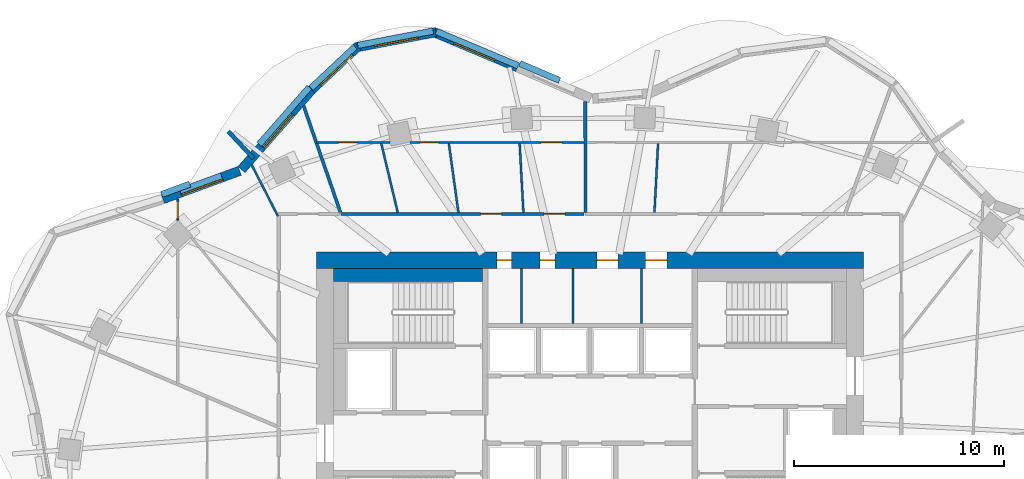
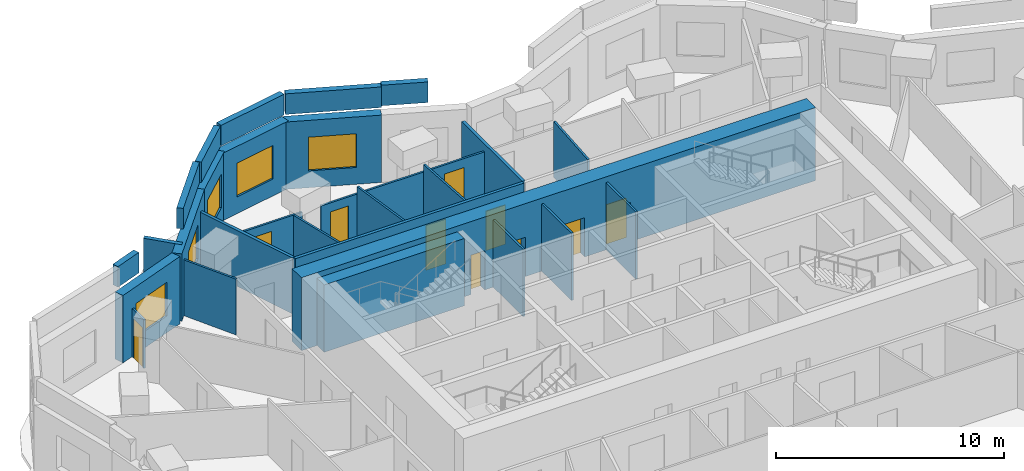
# One storey, part 8 of 11: 28 walls, 10 doors, 5 windows, 15 openings.
"""IFC4 building model written with IfcOpenShell, lengths in metres."""

from ifc_helpers import new_model, si_unit, direction, frame, frame_2d, origin, place, context, subcontext, project, spatial, rectangle, extrude, material, layer, layer_set, type_object, element, fill, save


model = new_model("IFC4")

# Units and contexts
model_context = context("Model", 3, precision=1e-05, world=origin(), true_north=direction((0.0, 1.0)))
body_context = subcontext(model_context, "Body", "Model", "MODEL_VIEW")
ifc_project = project(units=[si_unit("LENGTHUNIT", "METRE"), si_unit("AREAUNIT", "SQUARE_METRE"), si_unit("VOLUMEUNIT", "CUBIC_METRE"), si_unit("PLANEANGLEUNIT", "RADIAN"), si_unit("MASSUNIT", "GRAM", prefix="KILO")], contexts=[model_context])

# Site, building, storey
site_placement = place(None, origin())
site = spatial("IfcSite", under=ifc_project, at=site_placement, CompositionType="ELEMENT")
building_placement = place(site_placement, origin())
building = spatial("IfcBuilding", under=site, at=building_placement, Name="Rubra Terraces Tower", CompositionType="ELEMENT")
storey_placement = place(building_placement, frame((0.0, 0.0, 260.39990234375)))
storey = spatial("IfcBuildingStorey", under=building, at=storey_placement, Name="L64", CompositionType="ELEMENT", Elevation=260.39990234375)

# Wall, opening, window
ifc_material_1 = material(Name="Brick masonry red-brown", Category="masonry")
ifc_layer_1 = layer(ifc_material_1, 0.449951171875)
ifc_layer_set_1 = layer_set([ifc_layer_1], Name="Brick masonry red-brown")
wall_type_1 = type_object("IfcWallType", Name="Brick facade wall 450", PredefinedType="SOLIDWALL", material=ifc_layer_set_1)
wall_1_placement = place(storey_placement, frame((-3.44140625, 20.776123046875, 0.0), z_axis=(0.0, 0.0, 1.0), x_axis=(-0.921988121387, 0.387218160758, 0.0)))
wall_1 = element("IfcWall", 1, at=wall_1_placement, inside=storey, type_object=wall_type_1, Name="Facade wall L64 bay 12", PredefinedType="SOLIDWALL", context=body_context, shape_type="SweptSolid", body=[
    extrude(rectangle(XDim=4.3466796875, YDim=0.449951171875, at=frame_2d((2.17333984375, 0.0))), origin(), (0.0, 0.0, 1.0), 3.60009765625),
])
opening_1_placement = place(wall_1_placement, frame((1.123291015625, 0.0, 0.89990234375)))
opening_1 = element("IfcOpeningElement", 2, at=opening_1_placement, cuts=wall_1, Name="Opening W1Z", PredefinedType="OPENING", context=body_context, shape_type="SweptSolid", body=[
    extrude(rectangle(XDim=2.10009765625, YDim=1.800048828125, at=frame_2d((1.050048828125, 0.89990234375))), frame((0.0, 0.23486328125, 0.0), z_axis=(0.0, -1.0, 0.0), x_axis=(1.0, 0.0, 0.0)), (0.0, 0.0, 1.0), 0.469970703125),
])
ifc_material_2 = material(Name="Clear glass in aluminium frame", Category="aluminium")
window_type = type_object("IfcWindowType", Name="Fixed deep-set window under transfer level 2100 x 1800", PartitioningType="SINGLE_PANEL", PredefinedType="WINDOW", material=ifc_material_2)
window_1_placement = place(opening_1_placement, origin())
window_1 = element("IfcWindow", 3, at=window_1_placement, inside=storey, type_object=window_type, Name="Window L64 bay 12", OverallHeight=1.800048828125, OverallWidth=2.10009765625, PartitioningType="SINGLE_PANEL", PredefinedType="WINDOW", context=body_context, shape_type="SweptSolid", body=[
    extrude(rectangle(XDim=2.10009765625, YDim=1.800048828125, at=frame_2d((1.050048828125, 0.89990234375))), frame((0.0, 0.135009765625, 0.0), z_axis=(0.0, -1.0, 0.0), x_axis=(1.0, 0.0, 0.0)), (0.0, 0.0, 1.0), 0.06005859375),
])
fill(opening_1, window_1)

wall_2_placement = place(storey_placement, frame((-7.322998046875, 22.447021484375, 0.0), z_axis=(0.0, 0.0, 1.0), x_axis=(-0.982420993638, -0.18667884524, 0.0)))
wall_2 = element("IfcWall", 4, at=wall_2_placement, inside=storey, type_object=wall_type_1, Name="Facade wall L64 bay 13", PredefinedType="SOLIDWALL", context=body_context, shape_type="SweptSolid", body=[
    extrude(rectangle(XDim=3.88427734375, YDim=0.449951171875, at=frame_2d((1.942138671875, 0.0))), origin(), (0.0, 0.0, 1.0), 3.60009765625),
])
opening_2_placement = place(wall_2_placement, frame((0.89208984375, 0.0, 0.89990234375)))
opening_2 = element("IfcOpeningElement", 5, at=opening_2_placement, cuts=wall_2, Name="Opening W1Z", PredefinedType="OPENING", context=body_context, shape_type="SweptSolid", body=[
    extrude(rectangle(XDim=2.10009765625, YDim=1.800048828125, at=frame_2d((1.050048828125, 0.89990234375))), frame((0.0, 0.23486328125, 0.0), z_axis=(0.0, -1.0, 0.0), x_axis=(1.0, 0.0, 0.0)), (0.0, 0.0, 1.0), 0.469970703125),
])
window_2_placement = place(opening_2_placement, origin())
window_2 = element("IfcWindow", 6, at=window_2_placement, inside=storey, type_object=window_type, Name="Window L64 bay 13", OverallHeight=1.800048828125, OverallWidth=2.10009765625, PartitioningType="SINGLE_PANEL", PredefinedType="WINDOW", context=body_context, shape_type="SweptSolid", body=[
    extrude(rectangle(XDim=2.10009765625, YDim=1.800048828125, at=frame_2d((1.050048828125, 0.89990234375))), frame((0.0, 0.135009765625, 0.0), z_axis=(0.0, -1.0, 0.0), x_axis=(1.0, 0.0, 0.0)), (0.0, 0.0, 1.0), 0.06005859375),
])
fill(opening_2, window_2)

wall_3_placement = place(storey_placement, frame((-11.027099609375, 21.779052734375, 0.0), z_axis=(0.0, 0.0, 1.0), x_axis=(-0.728871214251, -0.684650825631, 0.0)))
wall_3 = element("IfcWall", 7, at=wall_3_placement, inside=storey, type_object=wall_type_1, Name="Facade wall L64 bay 14", PredefinedType="SOLIDWALL", context=body_context, shape_type="SweptSolid", body=[
    extrude(rectangle(XDim=3.031005859375, YDim=0.449951171875, at=frame_2d((1.515625, 0.0))), origin(), (0.0, 0.0, 1.0), 3.60009765625),
])
opening_3_placement = place(wall_3_placement, frame((0.465576171875, 0.0, 0.89990234375)))
opening_3 = element("IfcOpeningElement", 8, at=opening_3_placement, cuts=wall_3, Name="Opening W1Z", PredefinedType="OPENING", context=body_context, shape_type="SweptSolid", body=[
    extrude(rectangle(XDim=2.10009765625, YDim=1.800048828125, at=frame_2d((1.050048828125, 0.89990234375))), frame((0.0, 0.23486328125, 0.0), z_axis=(0.0, -1.0, 0.0), x_axis=(1.0, 0.0, 0.0)), (0.0, 0.0, 1.0), 0.469970703125),
])
window_3_placement = place(opening_3_placement, origin())
window_3 = element("IfcWindow", 9, at=window_3_placement, inside=storey, type_object=window_type, Name="Window L64 bay 14", OverallHeight=1.800048828125, OverallWidth=2.10009765625, PartitioningType="SINGLE_PANEL", PredefinedType="WINDOW", context=body_context, shape_type="SweptSolid", body=[
    extrude(rectangle(XDim=2.10009765625, YDim=1.800048828125, at=frame_2d((1.050048828125, 0.89990234375))), frame((0.0, 0.135009765625, 0.0), z_axis=(0.0, -1.0, 0.0), x_axis=(1.0, 0.0, 0.0)), (0.0, 0.0, 1.0), 0.06005859375),
])
fill(opening_3, window_3)

wall_4_placement = place(storey_placement, frame((-13.221435546875, 19.71923828125, 0.0), z_axis=(0.0, 0.0, 1.0), x_axis=(-0.660424908916, -0.750892095899, 0.0)))
wall_4 = element("IfcWall", 10, at=wall_4_placement, inside=storey, type_object=wall_type_1, Name="Facade wall L64 bay 15", PredefinedType="SOLIDWALL", context=body_context, shape_type="SweptSolid", body=[
    extrude(rectangle(XDim=5.07080078125, YDim=0.449951171875, at=frame_2d((2.535400390625, 0.0))), origin(), (0.0, 0.0, 1.0), 3.60009765625),
])
opening_4_placement = place(wall_4_placement, frame((1.4853515625, 0.0, 0.89990234375)))
opening_4 = element("IfcOpeningElement", 11, at=opening_4_placement, cuts=wall_4, Name="Opening W1Z", PredefinedType="OPENING", context=body_context, shape_type="SweptSolid", body=[
    extrude(rectangle(XDim=2.10009765625, YDim=1.800048828125, at=frame_2d((1.050048828125, 0.89990234375))), frame((0.0, 0.23486328125, 0.0), z_axis=(0.0, -1.0, 0.0), x_axis=(1.0, 0.0, 0.0)), (0.0, 0.0, 1.0), 0.469970703125),
])
window_4_placement = place(opening_4_placement, origin())
window_4 = element("IfcWindow", 12, at=window_4_placement, inside=storey, type_object=window_type, Name="Window L64 bay 15", OverallHeight=1.800048828125, OverallWidth=2.10009765625, PartitioningType="SINGLE_PANEL", PredefinedType="WINDOW", context=body_context, shape_type="SweptSolid", body=[
    extrude(rectangle(XDim=2.10009765625, YDim=1.800048828125, at=frame_2d((1.050048828125, 0.89990234375))), frame((0.0, 0.135009765625, 0.0), z_axis=(0.0, -1.0, 0.0), x_axis=(1.0, 0.0, 0.0)), (0.0, 0.0, 1.0), 0.06005859375),
])
fill(opening_4, window_4)

wall_5_placement = place(storey_placement, frame((-16.654052734375, 15.85205078125, 0.0), z_axis=(0.0, 0.0, 1.0), x_axis=(-0.938636568132, -0.344907803572, 0.0)))
wall_5 = element("IfcWall", 13, at=wall_5_placement, inside=storey, type_object=wall_type_1, Name="Facade wall L64 bay 16", PredefinedType="SOLIDWALL", context=body_context, shape_type="SweptSolid", body=[
    extrude(rectangle(XDim=3.887451171875, YDim=0.449951171875, at=frame_2d((1.94384765625, 0.0))), origin(), (0.0, 0.0, 1.0), 3.60009765625),
])
opening_5_placement = place(wall_5_placement, frame((0.893798828125, 0.0, 0.89990234375)))
opening_5 = element("IfcOpeningElement", 14, at=opening_5_placement, cuts=wall_5, Name="Opening W1Z", PredefinedType="OPENING", context=body_context, shape_type="SweptSolid", body=[
    extrude(rectangle(XDim=2.10009765625, YDim=1.800048828125, at=frame_2d((1.050048828125, 0.89990234375))), frame((0.0, 0.23486328125, 0.0), z_axis=(0.0, -1.0, 0.0), x_axis=(1.0, 0.0, 0.0)), (0.0, 0.0, 1.0), 0.469970703125),
])
window_5_placement = place(opening_5_placement, origin())
window_5 = element("IfcWindow", 15, at=window_5_placement, inside=storey, type_object=window_type, Name="Window L64 bay 16", OverallHeight=1.800048828125, OverallWidth=2.10009765625, PartitioningType="SINGLE_PANEL", PredefinedType="WINDOW", context=body_context, shape_type="SweptSolid", body=[
    extrude(rectangle(XDim=2.10009765625, YDim=1.800048828125, at=frame_2d((1.050048828125, 0.89990234375))), frame((0.0, 0.135009765625, 0.0), z_axis=(0.0, -1.0, 0.0), x_axis=(1.0, 0.0, 0.0)), (0.0, 0.0, 1.0), 0.06005859375),
])
fill(opening_5, window_5)

# Walls
ifc_layer_2 = layer(ifc_material_1, 0.300048828125)
ifc_layer_set_2 = layer_set([ifc_layer_2], Name="Brick masonry red-brown")
wall_type_2 = type_object("IfcWallType", Name="Brick parapet 300", PredefinedType="PARAPET", material=ifc_layer_set_2)
wall_6_placement = place(storey_placement, frame((-1.44580078125, 20.14892578125, 3.900146484375), z_axis=(0.0, 0.0, 1.0), x_axis=(-0.920058903695, 0.391780057854, 0.0)))
element("IfcWall", 16, at=wall_6_placement, inside=storey, type_object=wall_type_2, Name="Parapet L64 bay 11", PredefinedType="PARAPET", context=body_context, shape_type="SweptSolid", body=[
    extrude(rectangle(XDim=2.05322265625, YDim=0.300048828125, at=frame_2d((1.026611328125, 0.0))), origin(), (0.0, 0.0, 1.0), 1.099853515625),
])
wall_7_placement = place(storey_placement, frame((-3.413330078125, 20.845703125, 3.900146484375), z_axis=(0.0, 0.0, 1.0), x_axis=(-0.921981693349, 0.387233465921, 0.0)))
element("IfcWall", 17, at=wall_7_placement, inside=storey, type_object=wall_type_2, Name="Parapet L64 bay 12", PredefinedType="PARAPET", context=body_context, shape_type="SweptSolid", body=[
    extrude(rectangle(XDim=4.228515625, YDim=0.300048828125, at=frame_2d((2.1142578125, 0.0))), origin(), (0.0, 0.0, 1.0), 1.099853515625),
])
wall_8_placement = place(storey_placement, frame((-7.455322265625, 22.498291015625, 3.900146484375), z_axis=(0.0, 0.0, 1.0), x_axis=(-0.982412909305, -0.186721385038, 0.0)))
element("IfcWall", 18, at=wall_8_placement, inside=storey, type_object=wall_type_2, Name="Parapet L64 bay 13", PredefinedType="PARAPET", context=body_context, shape_type="SweptSolid", body=[
    extrude(rectangle(XDim=3.646728515625, YDim=0.300048828125, at=frame_2d((1.8232421875, 0.0))), origin(), (0.0, 0.0, 1.0), 1.099853515625),
])
wall_9_placement = place(storey_placement, frame((-11.163818359375, 21.75341796875, 3.900146484375), z_axis=(0.0, 0.0, 1.0), x_axis=(-0.72886475222, -0.684657704967, 0.0)))
element("IfcWall", 19, at=wall_9_placement, inside=storey, type_object=wall_type_2, Name="Parapet L64 bay 14", PredefinedType="PARAPET", context=body_context, shape_type="SweptSolid", body=[
    extrude(rectangle(XDim=2.877197265625, YDim=0.300048828125, at=frame_2d((1.4384765625, 0.0))), origin(), (0.0, 0.0, 1.0), 1.099853515625),
])
wall_10_placement = place(storey_placement, frame((-13.338623046875, 19.822265625, 3.900146484375), z_axis=(0.0, 0.0, 1.0), x_axis=(-0.660443655688, -0.750875607316, 0.0)))
element("IfcWall", 20, at=wall_10_placement, inside=storey, type_object=wall_type_2, Name="Parapet L64 bay 15", PredefinedType="PARAPET", context=body_context, shape_type="SweptSolid", body=[
    extrude(rectangle(XDim=3.614990234375, YDim=0.300048828125, at=frame_2d((1.8076171875, 0.0))), origin(), (0.0, 0.0, 1.0), 1.099853515625),
])
wall_11_placement = place(storey_placement, frame((-19.02734375, 15.219482421875, 3.900146484375), z_axis=(0.0, 0.0, 1.0), x_axis=(-0.938641434588, -0.344894559648, 0.0)))
element("IfcWall", 21, at=wall_11_placement, inside=storey, type_object=wall_type_2, Name="Parapet L64 bay 16", PredefinedType="PARAPET", context=body_context, shape_type="SweptSolid", body=[
    extrude(rectangle(XDim=1.423583984375, YDim=0.300048828125, at=frame_2d((0.7119140625, 0.0))), origin(), (0.0, 0.0, 1.0), 1.099853515625),
])
ifc_layer_3 = layer(ifc_material_1, 0.199951171875)
ifc_layer_set_3 = layer_set([ifc_layer_3], Name="Brick masonry red-brown")
wall_type_3 = type_object("IfcWallType", Name="Brick wind fin 200", PredefinedType="SOLIDWALL", material=ifc_layer_set_3)
wall_12_placement = place(storey_placement, frame((-15.9951171875, 16.444091796875, 0.0), z_axis=(0.0, 0.0, 1.0), x_axis=(-0.683852936488, 0.729619874494, 0.0)))
element("IfcWall", 22, at=wall_12_placement, inside=storey, type_object=wall_type_3, Name="Wind fin L64 9", PredefinedType="SOLIDWALL", context=body_context, shape_type="SweptSolid", body=[
    extrude(rectangle(XDim=1.749755859375, YDim=0.199951171875, at=frame_2d((0.875, 0.0))), origin(), (0.0, 0.0, 1.0), 3.60009765625),
])

# Wall, openings, doors
ifc_material_3 = material(Name="Concrete C50", Category="concrete")
ifc_layer_4 = layer(ifc_material_3, 0.800048828125)
ifc_layer_set_4 = layer_set([ifc_layer_4], Name="Concrete C50")
wall_type_4 = type_object("IfcWallType", Name="CORE WALL 800 C50", PredefinedType="SHEAR", material=ifc_layer_set_4)
wall_13_placement = place(storey_placement, frame((-13.0, 11.60009765625, 0.0), z_axis=(0.0, 0.0, 1.0), x_axis=(1.0, 0.0, 0.0)))
wall_13 = element("IfcWall", 23, at=wall_13_placement, inside=storey, type_object=wall_type_4, Name="CORE WALL N L64", PredefinedType="SHEAR", context=body_context, shape_type="SweptSolid", body=[
    extrude(rectangle(XDim=26.0, YDim=0.800048828125, at=frame_2d((13.0, 0.0))), origin(), (0.0, 0.0, 1.0), 3.900146484375),
])
opening_6_placement = place(wall_13_placement, frame((8.574951171875, 0.0, 0.0)))
opening_6 = element("IfcOpeningElement", 24, at=opening_6_placement, cuts=wall_13, Name="Opening L64.C25", PredefinedType="OPENING", context=body_context, shape_type="SweptSolid", body=[
    extrude(rectangle(XDim=0.699951171875, YDim=2.10009765625, at=frame_2d((0.35009765625, 1.050048828125))), frame((0.0, 0.409912109375, 0.0), z_axis=(0.0, -1.0, 0.0), x_axis=(1.0, 0.0, 0.0)), (0.0, 0.0, 1.0), 0.820068359375),
])
opening_7_placement = place(wall_13_placement, frame((10.625, 0.0, 0.0)))
opening_7 = element("IfcOpeningElement", 25, at=opening_7_placement, cuts=wall_13, Name="Opening L64.C26", PredefinedType="OPENING", context=body_context, shape_type="SweptSolid", body=[
    extrude(rectangle(XDim=0.699951171875, YDim=2.10009765625, at=frame_2d((0.35009765625, 1.050048828125))), frame((0.0, 0.409912109375, 0.0), z_axis=(0.0, -1.0, 0.0), x_axis=(1.0, 0.0, 0.0)), (0.0, 0.0, 1.0), 0.820068359375),
])
opening_8_placement = place(wall_13_placement, frame((13.324951171875, 0.0, 0.0)))
opening_8 = element("IfcOpeningElement", 26, at=opening_8_placement, cuts=wall_13, Name="Opening L64.C27", PredefinedType="OPENING", context=body_context, shape_type="SweptSolid", body=[
    extrude(rectangle(XDim=1.0, YDim=2.10009765625, at=frame_2d((0.5, 1.050048828125))), frame((0.0, 0.409912109375, 0.0), z_axis=(0.0, -1.0, 0.0), x_axis=(1.0, 0.0, 0.0)), (0.0, 0.0, 1.0), 0.820068359375),
])
opening_9_placement = place(wall_13_placement, frame((15.64990234375, 0.0, 0.0)))
opening_9 = element("IfcOpeningElement", 27, at=opening_9_placement, cuts=wall_13, Name="Opening L64.C28", PredefinedType="OPENING", context=body_context, shape_type="SweptSolid", body=[
    extrude(rectangle(XDim=1.0, YDim=2.10009765625, at=frame_2d((0.5, 1.050048828125))), frame((0.0, 0.409912109375, 0.0), z_axis=(0.0, -1.0, 0.0), x_axis=(1.0, 0.0, 0.0)), (0.0, 0.0, 1.0), 0.820068359375),
])
ifc_material_4 = material(Name="Painted steel", Category="steel")
door_type_1 = type_object("IfcDoorType", Name="Fire door 1000x2100 single", OperationType="NOTDEFINED", PredefinedType="DOOR", material=ifc_material_4)
door_1_placement = place(opening_8_placement, origin())
door_1 = element("IfcDoor", 28, at=door_1_placement, inside=storey, type_object=door_type_1, Name="Tea point door", OperationType="SINGLE_SWING_LEFT", OverallHeight=2.10009765625, OverallWidth=1.0, PredefinedType="DOOR", context=body_context, shape_type="SweptSolid", body=[
    extrude(rectangle(XDim=1.0, YDim=2.10009765625, at=frame_2d((0.5, 1.050048828125))), frame((0.0, 0.02490234375, 0.0), z_axis=(0.0, -1.0, 0.0), x_axis=(1.0, 0.0, 0.0)), (0.0, 0.0, 1.0), 0.050048828125),
])
fill(opening_8, door_1)
door_2_placement = place(opening_9_placement, origin())
door_2 = element("IfcDoor", 29, at=door_2_placement, inside=storey, type_object=door_type_1, Name="Refuse room door", OperationType="SINGLE_SWING_RIGHT", OverallHeight=2.10009765625, OverallWidth=1.0, PredefinedType="DOOR", context=body_context, shape_type="SweptSolid", body=[
    extrude(rectangle(XDim=1.0, YDim=2.10009765625, at=frame_2d((0.5, 1.050048828125))), frame((0.0, 0.02490234375, 0.0), z_axis=(0.0, -1.0, 0.0), x_axis=(1.0, 0.0, 0.0)), (0.0, 0.0, 1.0), 0.050048828125),
])
fill(opening_9, door_2)
door_type_2 = type_object("IfcDoorType", Name="Riser access door 700x2100 single", OperationType="NOTDEFINED", PredefinedType="DOOR", material=ifc_material_4)
door_3_placement = place(opening_6_placement, origin())
door_3 = element("IfcDoor", 30, at=door_3_placement, inside=storey, type_object=door_type_2, Name="Telecoms room door", OperationType="SINGLE_SWING_LEFT", OverallHeight=2.10009765625, OverallWidth=0.699951171875, PredefinedType="DOOR", context=body_context, shape_type="SweptSolid", body=[
    extrude(rectangle(XDim=0.699951171875, YDim=2.10009765625, at=frame_2d((0.35009765625, 1.050048828125))), frame((0.0, 0.02490234375, 0.0), z_axis=(0.0, -1.0, 0.0), x_axis=(1.0, 0.0, 0.0)), (0.0, 0.0, 1.0), 0.050048828125),
])
fill(opening_6, door_3)
door_4_placement = place(opening_7_placement, origin())
door_4 = element("IfcDoor", 31, at=door_4_placement, inside=storey, type_object=door_type_2, Name="Electrical riser room door", OperationType="SINGLE_SWING_RIGHT", OverallHeight=2.10009765625, OverallWidth=0.699951171875, PredefinedType="DOOR", context=body_context, shape_type="SweptSolid", body=[
    extrude(rectangle(XDim=0.699951171875, YDim=2.10009765625, at=frame_2d((0.35009765625, 1.050048828125))), frame((0.0, 0.02490234375, 0.0), z_axis=(0.0, -1.0, 0.0), x_axis=(1.0, 0.0, 0.0)), (0.0, 0.0, 1.0), 0.050048828125),
])
fill(opening_7, door_4)

ifc_material_5 = material(Name="Plasterboard on steel stud, mineral wool infill", Category="steel")
ifc_layer_5 = layer(ifc_material_5, 0.14990234375)
ifc_layer_set_5 = layer_set([ifc_layer_5], Name="Plasterboard on steel stud, mineral wool infill")
wall_type_5 = type_object("IfcWallType", Name="CORRIDOR PARTITION 150", PredefinedType="PARTITIONING", material=ifc_layer_set_5)
wall_14_placement = place(storey_placement, frame((-0.28759765625, 13.800048828125, 0.0), z_axis=(0.0, 0.0, 1.0), x_axis=(-1.0, 0.0, 0.0)))
wall_14 = element("IfcWall", 32, at=wall_14_placement, inside=storey, type_object=wall_type_5, Name="PARTITION", PredefinedType="PARTITIONING", context=body_context, shape_type="SweptSolid", body=[
    extrude(rectangle(XDim=11.54931640625, YDim=0.14990234375, at=frame_2d((5.774658203125, 0.0))), origin(), (0.0, 0.0, 1.0), 2.984130859375),
])
opening_10_placement = place(wall_14_placement, frame((0.89892578125, 0.0, 0.0)))
opening_10 = element("IfcOpeningElement", 33, at=opening_10_placement, cuts=wall_14, Name="Opening 64-105", PredefinedType="OPENING", context=body_context, shape_type="SweptSolid", body=[
    extrude(rectangle(XDim=1.0, YDim=2.10009765625, at=frame_2d((0.5, 1.050048828125))), frame((0.0, 0.0849609375, 0.0), z_axis=(0.0, -1.0, 0.0), x_axis=(1.0, 0.0, 0.0)), (0.0, 0.0, 1.0), 0.169921875),
])
opening_11_placement = place(wall_14_placement, frame((3.9150390625, 0.0, 0.0)))
opening_11 = element("IfcOpeningElement", 34, at=opening_11_placement, cuts=wall_14, Name="Opening 64-107", PredefinedType="OPENING", context=body_context, shape_type="SweptSolid", body=[
    extrude(rectangle(XDim=1.0, YDim=2.39990234375, at=frame_2d((0.5, 1.199951171875))), frame((0.0, 0.0849609375, 0.0), z_axis=(0.0, -1.0, 0.0), x_axis=(1.0, 0.0, 0.0)), (0.0, 0.0, 1.0), 0.169921875),
])
ifc_material_6 = material(Name="Glazed aluminium meeting door leaf", Category="aluminium")
door_type_3 = type_object("IfcDoorType", Name="MEETING ROOM GLAZED DOOR 1000 X 2400", OperationType="SINGLE_SWING_LEFT", PredefinedType="DOOR", material=ifc_material_6)
door_5_placement = place(opening_11_placement, origin())
door_5 = element("IfcDoor", 35, at=door_5_placement, inside=storey, type_object=door_type_3, Name="DOOR 64-107", OperationType="SINGLE_SWING_RIGHT", OverallHeight=2.39990234375, OverallWidth=1.0, PredefinedType="DOOR", context=body_context, shape_type="SweptSolid", body=[
    extrude(rectangle(XDim=1.0, YDim=2.39990234375, at=frame_2d((0.5, 1.199951171875))), frame((0.0, 0.02490234375, 0.0), z_axis=(0.0, -1.0, 0.0), x_axis=(1.0, 0.0, 0.0)), (0.0, 0.0, 1.0), 0.050048828125),
])
fill(opening_11, door_5)
ifc_material_7 = material(Name="Painted timber door leaf", Category="wood")
door_type_4 = type_object("IfcDoorType", Name="ROOM DOOR 1000 X 2100", OperationType="SINGLE_SWING_LEFT", PredefinedType="DOOR", material=ifc_material_7)
door_6_placement = place(opening_10_placement, origin())
door_6 = element("IfcDoor", 36, at=door_6_placement, inside=storey, type_object=door_type_4, Name="DOOR 64-105", OperationType="SINGLE_SWING_RIGHT", OverallHeight=2.10009765625, OverallWidth=1.0, PredefinedType="DOOR", context=body_context, shape_type="SweptSolid", body=[
    extrude(rectangle(XDim=1.0, YDim=2.10009765625, at=frame_2d((0.5, 1.050048828125))), frame((0.0, 0.02490234375, 0.0), z_axis=(0.0, -1.0, 0.0), x_axis=(1.0, 0.0, 0.0)), (0.0, 0.0, 1.0), 0.050048828125),
])
fill(opening_10, door_6)

# Walls
ifc_material_8 = material(Name="Concrete C40", Category="concrete")
ifc_layer_6 = layer(ifc_material_8, 0.60009765625)
ifc_layer_set_6 = layer_set([ifc_layer_6], Name="Concrete C40")
wall_type_6 = type_object("IfcWallType", Name="Core lining wall 600 concrete", PredefinedType="SOLIDWALL", material=ifc_layer_set_6)
wall_15_placement = place(storey_placement, frame((-12.199951171875, 10.89990234375, 0.0), z_axis=(0.0, 0.0, 1.0), x_axis=(1.0, 0.0, 0.0)))
element("IfcWall", 37, at=wall_15_placement, inside=storey, type_object=wall_type_6, Name="CORE LINING WALL L64", PredefinedType="SOLIDWALL", context=body_context, shape_type="SweptSolid", body=[
    extrude(rectangle(XDim=7.099853515625, YDim=0.60009765625, at=frame_2d((3.5498046875, 0.0))), origin(), (0.0, 0.0, 1.0), 3.60009765625),
])
ifc_material_9 = material(Name="Plasterboard on steel stud", Category="steel")
ifc_layer_7 = layer(ifc_material_9, 0.10009765625)
ifc_layer_set_7 = layer_set([ifc_layer_7], Name="Plasterboard on steel stud")
wall_type_7 = type_object("IfcWallType", Name="ROOM PARTITION 100", PredefinedType="PARTITIONING", material=ifc_layer_set_7)
wall_16_placement = place(storey_placement, frame((3.064453125, 13.875, 0.0), z_axis=(0.0, 0.0, 1.0), x_axis=(0.05240645469, 0.998625837592, 0.0)))
element("IfcWall", 38, at=wall_16_placement, inside=storey, type_object=wall_type_7, Name="PARTITION", PredefinedType="PARTITIONING", context=body_context, shape_type="SweptSolid", body=[
    extrude(rectangle(XDim=3.279541015625, YDim=0.10009765625, at=frame_2d((1.6396484375, 0.0))), origin(), (0.0, 0.0, 1.0), 2.984130859375),
])
wall_17_placement = place(storey_placement, frame((-3.16455078125, 13.875, 0.0), z_axis=(0.0, 0.0, 1.0), x_axis=(-0.054855780122, 0.998494288109, 0.0)))
element("IfcWall", 39, at=wall_17_placement, inside=storey, type_object=wall_type_7, Name="PARTITION", PredefinedType="PARTITIONING", context=body_context, shape_type="SweptSolid", body=[
    extrude(rectangle(XDim=3.280029296875, YDim=0.10009765625, at=frame_2d((1.64013671875, 0.0))), origin(), (0.0, 0.0, 1.0), 2.984130859375),
])
wall_18_placement = place(storey_placement, frame((-6.25439453125, 13.874267578125, 0.0), z_axis=(0.0, 0.0, 1.0), x_axis=(-0.137948523614, 0.990439399879, 0.0)))
element("IfcWall", 40, at=wall_18_placement, inside=storey, type_object=wall_type_7, Name="PARTITION", PredefinedType="PARTITIONING", context=body_context, shape_type="SweptSolid", body=[
    extrude(rectangle(XDim=3.307861328125, YDim=0.10009765625, at=frame_2d((1.65380859375, 0.0))), origin(), (0.0, 0.0, 1.0), 2.984130859375),
])
wall_19_placement = place(storey_placement, frame((-14.834228515625, 13.693115234375, 0.0), z_axis=(0.0, 0.0, 1.0), x_axis=(-0.455511992018, 0.89022964741, 0.0)))
element("IfcWall", 41, at=wall_19_placement, inside=storey, type_object=wall_type_7, Name="PARTITION", PredefinedType="PARTITIONING", context=body_context, shape_type="SweptSolid", body=[
    extrude(rectangle(XDim=2.735595703125, YDim=0.10009765625, at=frame_2d((1.36767578125, 0.0))), origin(), (0.0, 0.0, 1.0), 2.984130859375),
])

# Wall, opening, door
ifc_layer_8 = layer(ifc_material_9, 0.10009765625)
ifc_layer_set_8 = layer_set([ifc_layer_8], Name="Plasterboard on steel stud")
wall_type_8 = type_object("IfcWallType", Name="ROOM PARTITION 100 LOW HEAD", PredefinedType="PARTITIONING", material=ifc_layer_set_8)
wall_20_placement = place(storey_placement, frame((-12.991455078125, 17.199951171875, 0.0), z_axis=(0.0, 0.0, 1.0), x_axis=(1.0, 0.0, 0.0)))
wall_20 = element("IfcWall", 42, at=wall_20_placement, inside=storey, type_object=wall_type_8, Name="PARTITION", PredefinedType="PARTITIONING", context=body_context, shape_type="SweptSolid", body=[
    extrude(rectangle(XDim=3.488037109375, YDim=0.10009765625, at=frame_2d((1.744140625, 0.0))), origin(), (0.0, 0.0, 1.0), 2.580078125),
])
opening_12_placement = place(wall_20_placement, frame((1.029052734375, 0.0, 0.0)))
opening_12 = element("IfcOpeningElement", 43, at=opening_12_placement, cuts=wall_20, Name="Opening 64-109", PredefinedType="OPENING", context=body_context, shape_type="SweptSolid", body=[
    extrude(rectangle(XDim=0.89990234375, YDim=2.10009765625, at=frame_2d((0.449951171875, 1.050048828125))), frame((0.0, 0.06005859375, 0.0), z_axis=(0.0, -1.0, 0.0), x_axis=(1.0, 0.0, 0.0)), (0.0, 0.0, 1.0), 0.1201171875),
])
door_type_5 = type_object("IfcDoorType", Name="ROOM DOOR 900 X 2100", OperationType="SINGLE_SWING_LEFT", PredefinedType="DOOR", material=ifc_material_7)
door_7_placement = place(opening_12_placement, origin())
door_7 = element("IfcDoor", 44, at=door_7_placement, inside=storey, type_object=door_type_5, Name="DOOR 64-109", OperationType="SINGLE_SWING_LEFT", OverallHeight=2.10009765625, OverallWidth=0.89990234375, PredefinedType="DOOR", context=body_context, shape_type="SweptSolid", body=[
    extrude(rectangle(XDim=0.89990234375, YDim=2.10009765625, at=frame_2d((0.449951171875, 1.050048828125))), frame((0.0, 0.02490234375, 0.0), z_axis=(0.0, -1.0, 0.0), x_axis=(1.0, 0.0, 0.0)), (0.0, 0.0, 1.0), 0.050048828125),
])
fill(opening_12, door_7)

# Wall, openings, doors
wall_21_placement = place(storey_placement, frame((-8.56591796875, 17.199951171875, 0.0), z_axis=(0.0, 0.0, 1.0), x_axis=(1.0, 0.0, 0.0)))
wall_21 = element("IfcWall", 45, at=wall_21_placement, inside=storey, type_object=wall_type_8, Name="PARTITION", PredefinedType="PARTITIONING", context=body_context, shape_type="SweptSolid", body=[
    extrude(rectangle(XDim=8.32470703125, YDim=0.10009765625, at=frame_2d((4.162353515625, 0.0))), origin(), (0.0, 0.0, 1.0), 2.580078125),
])
opening_13_placement = place(wall_21_placement, frame((6.22998046875, 0.0, 0.0)))
opening_13 = element("IfcOpeningElement", 46, at=opening_13_placement, cuts=wall_21, Name="Opening 64-106", PredefinedType="OPENING", context=body_context, shape_type="SweptSolid", body=[
    extrude(rectangle(XDim=1.0, YDim=2.10009765625, at=frame_2d((0.5, 1.050048828125))), frame((0.0, 0.06005859375, 0.0), z_axis=(0.0, -1.0, 0.0), x_axis=(1.0, 0.0, 0.0)), (0.0, 0.0, 1.0), 0.1201171875),
])
opening_14_placement = place(wall_21_placement, frame((0.47509765625, 0.0, 0.0)))
opening_14 = element("IfcOpeningElement", 47, at=opening_14_placement, cuts=wall_21, Name="Opening 64-108", PredefinedType="OPENING", context=body_context, shape_type="SweptSolid", body=[
    extrude(rectangle(XDim=0.89990234375, YDim=2.10009765625, at=frame_2d((0.449951171875, 1.050048828125))), frame((0.0, 0.06005859375, 0.0), z_axis=(0.0, -1.0, 0.0), x_axis=(1.0, 0.0, 0.0)), (0.0, 0.0, 1.0), 0.1201171875),
])
door_8_placement = place(opening_13_placement, origin())
door_8 = element("IfcDoor", 48, at=door_8_placement, inside=storey, type_object=door_type_4, Name="DOOR 64-106", OperationType="SINGLE_SWING_LEFT", OverallHeight=2.10009765625, OverallWidth=1.0, PredefinedType="DOOR", context=body_context, shape_type="SweptSolid", body=[
    extrude(rectangle(XDim=1.0, YDim=2.10009765625, at=frame_2d((0.5, 1.050048828125))), frame((0.0, 0.02490234375, 0.0), z_axis=(0.0, -1.0, 0.0), x_axis=(1.0, 0.0, 0.0)), (0.0, 0.0, 1.0), 0.050048828125),
])
fill(opening_13, door_8)
door_9_placement = place(opening_14_placement, origin())
door_9 = element("IfcDoor", 49, at=door_9_placement, inside=storey, type_object=door_type_5, Name="DOOR 64-108", OperationType="SINGLE_SWING_LEFT", OverallHeight=2.10009765625, OverallWidth=0.89990234375, PredefinedType="DOOR", context=body_context, shape_type="SweptSolid", body=[
    extrude(rectangle(XDim=0.89990234375, YDim=2.10009765625, at=frame_2d((0.449951171875, 1.050048828125))), frame((0.0, 0.02490234375, 0.0), z_axis=(0.0, -1.0, 0.0), x_axis=(1.0, 0.0, 0.0)), (0.0, 0.0, 1.0), 0.050048828125),
])
fill(opening_14, door_9)

# Wall
wall_22_placement = place(storey_placement, frame((-9.140380859375, 13.872802734375, 0.0), z_axis=(0.0, 0.0, 1.0), x_axis=(-0.232348315027, 0.97263264417, 0.0)))
element("IfcWall", 50, at=wall_22_placement, inside=storey, type_object=wall_type_8, Name="PARTITION", PredefinedType="PARTITIONING", context=body_context, shape_type="SweptSolid", body=[
    extrude(rectangle(XDim=3.370849609375, YDim=0.10009765625, at=frame_2d((1.685546875, 0.0))), origin(), (0.0, 0.0, 1.0), 2.580078125),
])

# Wall, opening, door
wall_23_placement = place(storey_placement, frame((-19.60009765625, 13.482666015625, 0.0), z_axis=(0.0, 0.0, 1.0), x_axis=(0.0, 1.0, 0.0)))
wall_23 = element("IfcWall", 51, at=wall_23_placement, inside=storey, type_object=wall_type_8, Name="PARTITION", PredefinedType="PARTITIONING", context=body_context, shape_type="SweptSolid", body=[
    extrude(rectangle(XDim=1.026123046875, YDim=0.10009765625, at=frame_2d((0.51318359375, 0.0))), origin(), (0.0, 0.0, 1.0), 2.580078125),
])
opening_15_placement = place(wall_23_placement, frame((0.10009765625, 0.0, 0.0)))
opening_15 = element("IfcOpeningElement", 52, at=opening_15_placement, cuts=wall_23, Name="Opening 64-135", PredefinedType="OPENING", context=body_context, shape_type="SweptSolid", body=[
    extrude(rectangle(XDim=0.800048828125, YDim=2.10009765625, at=frame_2d((0.39990234375, 1.050048828125))), frame((0.0, 0.06005859375, 0.0), z_axis=(0.0, -1.0, 0.0), x_axis=(1.0, 0.0, 0.0)), (0.0, 0.0, 1.0), 0.1201171875),
])
door_type_6 = type_object("IfcDoorType", Name="BATHROOM DOOR 800 X 2100", OperationType="SINGLE_SWING_LEFT", PredefinedType="DOOR", material=ifc_material_7)
door_10_placement = place(opening_15_placement, origin())
door_10 = element("IfcDoor", 53, at=door_10_placement, inside=storey, type_object=door_type_6, Name="DOOR 64-135", OperationType="SINGLE_SWING_LEFT", OverallHeight=2.10009765625, OverallWidth=0.800048828125, PredefinedType="DOOR", context=body_context, shape_type="SweptSolid", body=[
    extrude(rectangle(XDim=0.800048828125, YDim=2.10009765625, at=frame_2d((0.39990234375, 1.050048828125))), frame((0.0, 0.02490234375, 0.0), z_axis=(0.0, -1.0, 0.0), x_axis=(1.0, 0.0, 0.0)), (0.0, 0.0, 1.0), 0.050048828125),
])
fill(opening_15, door_10)

# Walls
ifc_layer_9 = layer(ifc_material_9, 0.14990234375)
ifc_layer_set_9 = layer_set([ifc_layer_9], Name="Plasterboard on steel stud")
wall_type_9 = type_object("IfcWallType", Name="ROOM PARTITION 150", PredefinedType="PARTITIONING", material=ifc_layer_set_9)
wall_24_placement = place(storey_placement, frame((-0.22607421875, 19.15771484375, 0.0), z_axis=(0.0, 0.0, 1.0), x_axis=(0.002541816357, -0.99999676958, 0.0)))
element("IfcWall", 54, at=wall_24_placement, inside=storey, type_object=wall_type_9, Name="PARTITION", PredefinedType="PARTITIONING", context=body_context, shape_type="SweptSolid", body=[
    extrude(rectangle(XDim=5.28271484375, YDim=0.14990234375, at=frame_2d((2.641357421875, 0.0))), origin(), (0.0, 0.0, 1.0), 2.984130859375),
])
wall_25_placement = place(storey_placement, frame((-13.61083984375, 18.929931640625, 0.0), z_axis=(0.0, 0.0, 1.0), x_axis=(0.326825455095, -0.945084716786, 0.0)))
element("IfcWall", 55, at=wall_25_placement, inside=storey, type_object=wall_type_9, Name="PARTITION", PredefinedType="PARTITIONING", context=body_context, shape_type="SweptSolid", body=[
    extrude(rectangle(XDim=5.35302734375, YDim=0.14990234375, at=frame_2d((2.676513671875, 0.0))), origin(), (0.0, 0.0, 1.0), 2.984130859375),
])
ifc_material_10 = material(Name="Blockwork", Category="masonry")
ifc_layer_10 = layer(ifc_material_10, 0.10009765625)
ifc_layer_set_10 = layer_set([ifc_layer_10], Name="Blockwork")
wall_type_10 = type_object("IfcWallType", Name="Service partition 100 blockwork", PredefinedType="PARTITIONING", material=ifc_layer_set_10)
for number, where, z_axis, x_axis, name in (
    (56, (-3.25, 8.60009765625, 0.0), (0.0, 0.0, 1.0), (0.0, 1.0, 0.0), "SERVICE ROOM PARTITION L64"),
    (57, (-0.800048828125, 8.60009765625, 0.0), (0.0, 0.0, 1.0), (0.0, 1.0, 0.0), "SERVICE ROOM PARTITION L64"),
    (58, (2.449951171875, 8.60009765625, 0.0), (0.0, 0.0, 1.0), (0.0, 1.0, 0.0), "SERVICE ROOM PARTITION L64"),
):
    element("IfcWall", number, at=place(storey_placement, frame(where, z_axis=z_axis, x_axis=x_axis)), inside=storey, type_object=wall_type_10, Name=name, PredefinedType="PARTITIONING", context=body_context, shape_type="SweptSolid", body=[
        extrude(rectangle(XDim=2.599853515625, YDim=0.10009765625, at=frame_2d((1.2998046875, 0.0))), origin(), (0.0, 0.0, 1.0), 3.60009765625),
    ])

save(model, "model.ifc")
